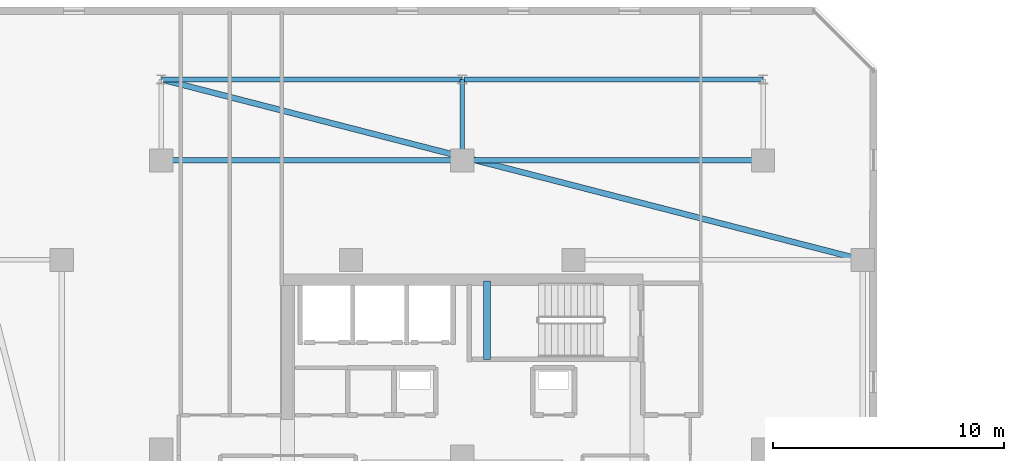
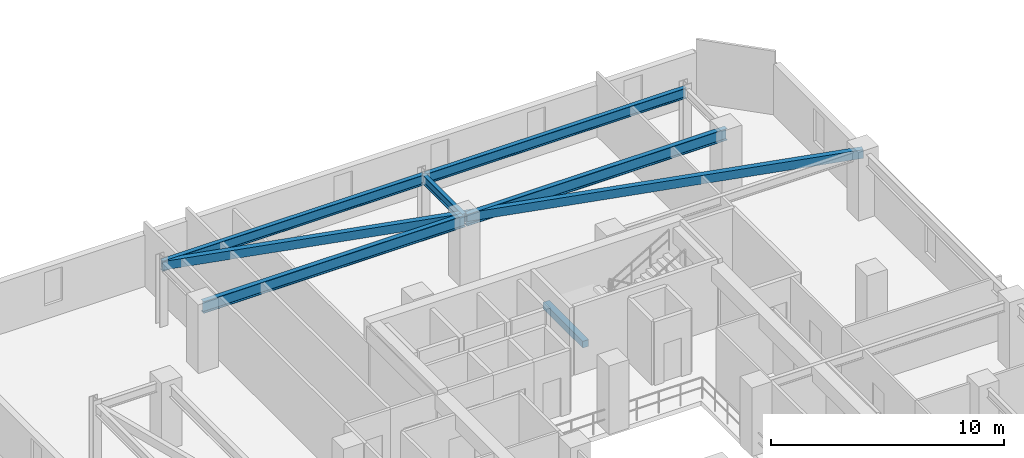
# One storey, part 8 of 33: 7 beams.
"""IFC4 building model written with IfcOpenShell, lengths in metres."""

from ifc_helpers import new_model, si_unit, direction, frame, origin, origin_2d, place, context, subcontext, project, spatial, rectangle, hollow_rectangle, i_section, extrude, material, material_profile, profile_set, type_object, element, save


model = new_model("IFC4")

# Units and contexts
model_context = context("Model", 3, precision=1e-05, world=origin(), true_north=direction((0.0, 1.0)))
body_context = subcontext(model_context, "Body", "Model", "MODEL_VIEW")
ifc_project = project(units=[si_unit("LENGTHUNIT", "METRE"), si_unit("AREAUNIT", "SQUARE_METRE"), si_unit("VOLUMEUNIT", "CUBIC_METRE"), si_unit("PLANEANGLEUNIT", "RADIAN"), si_unit("MASSUNIT", "GRAM", prefix="KILO")], contexts=[model_context])

# Site, building, storey
site_placement = place(None, origin())
site = spatial("IfcSite", under=ifc_project, at=site_placement, CompositionType="ELEMENT")
building_placement = place(site_placement, origin())
building = spatial("IfcBuilding", under=site, at=building_placement, Name="Thornwick Lancets Civic Towers", CompositionType="ELEMENT")
storey_placement = place(building_placement, frame((0.0, 0.0, 214.5)))
storey = spatial("IfcBuildingStorey", under=building, at=storey_placement, Name="L57", CompositionType="ELEMENT", Elevation=214.5)

# Beams
ifc_material_1 = material(Name="Steel S355JR", Category="steel")
ifc_material_profile_1 = material_profile(ifc_material_1, i_section(OverallWidth=0.210693359375, OverallDepth=0.53955078125, WebThickness=0.01171875, FlangeThickness=0.018798828125, FilletRadius=0.0126953125, at=origin_2d()), Name="UKB 533x210x109")
ifc_profile_set_1 = profile_set([ifc_material_profile_1], Name="Steel S355JR")
beam_type_1 = type_object("IfcBeamType", Name="BM_EDGE_533_109", PredefinedType="SPANDREL", material=ifc_profile_set_1)
beam_1_placement = place(storey_placement, frame((12.5, 47.800048828125, 3.09033203125), z_axis=(1.0, 0.0, 0.0), x_axis=(0.0, 1.0, 0.0)))
element("IfcBeam", 1, at=beam_1_placement, inside=storey, type_object=beam_type_1, Name="BM-EDGE-L57-A-S2-1", PredefinedType="SPANDREL", context=body_context, shape_type="SweptSolid", body=[
    extrude(i_section(OverallWidth=0.210693359375, OverallDepth=0.53955078125, WebThickness=0.01171875, FlangeThickness=0.018798828125, FilletRadius=0.0126953125, at=origin_2d()), origin(), (0.0, 0.0, 1.0), 13.0),
])
beam_2_placement = place(storey_placement, frame((25.580078125, 47.800048828125, 3.09033203125), z_axis=(1.0, 0.0, 0.0), x_axis=(0.0, 1.0, 0.0)))
element("IfcBeam", 2, at=beam_2_placement, inside=storey, type_object=beam_type_1, Name="BM-EDGE-L57-A-S2-2", PredefinedType="SPANDREL", context=body_context, shape_type="SweptSolid", body=[
    extrude(i_section(OverallWidth=0.210693359375, OverallDepth=0.53955078125, WebThickness=0.01171875, FlangeThickness=0.018798828125, FilletRadius=0.0126953125, at=origin_2d()), origin(), (0.0, 0.0, 1.0), 12.919921875),
])
ifc_material_profile_2 = material_profile(ifc_material_1, i_section(OverallWidth=0.230224609375, OverallDepth=0.6171875, WebThickness=0.01318359375, FlangeThickness=0.022216796875, FilletRadius=0.0126953125, at=origin_2d()), Name="UKB 610x229x140")
ifc_profile_set_2 = profile_set([ifc_material_profile_2], Name="Steel S355JR")
beam_type_2 = type_object("IfcBeamType", Name="BM_GIRD_610_140", PredefinedType="BEAM", material=ifc_profile_set_2)
beam_3_placement = place(storey_placement, frame((12.5, 44.300048828125, 3.051513671875), z_axis=(1.0, 0.0, 0.0), x_axis=(0.0, 1.0, 0.0)))
element("IfcBeam", 3, at=beam_3_placement, inside=storey, type_object=beam_type_2, Name="BM-SPINE-L57-A-6-7", PredefinedType="BEAM", context=body_context, shape_type="SweptSolid", body=[
    extrude(i_section(OverallWidth=0.230224609375, OverallDepth=0.6171875, WebThickness=0.01318359375, FlangeThickness=0.022216796875, FilletRadius=0.0126953125, at=origin_2d()), origin(), (0.0, 0.0, 1.0), 13.0),
])
beam_4_placement = place(storey_placement, frame((25.580078125, 44.300048828125, 3.051513671875), z_axis=(1.0, 0.0, 0.0), x_axis=(0.0, 1.0, 0.0)))
element("IfcBeam", 4, at=beam_4_placement, inside=storey, type_object=beam_type_2, Name="BM-SPINE-L57-A-7-8", PredefinedType="BEAM", context=body_context, shape_type="SweptSolid", body=[
    extrude(i_section(OverallWidth=0.230224609375, OverallDepth=0.6171875, WebThickness=0.01318359375, FlangeThickness=0.022216796875, FilletRadius=0.0126953125, at=origin_2d()), origin(), (0.0, 0.0, 1.0), 12.919921875),
])
ifc_material_profile_3 = material_profile(ifc_material_1, i_section(OverallWidth=0.19287109375, OverallDepth=0.46728515625, WebThickness=0.011474609375, FlangeThickness=0.01953125, FilletRadius=0.01025390625, at=origin_2d()), Name="UKB 457x191x98")
ifc_profile_set_3 = profile_set([ifc_material_profile_3], Name="Steel S355JR")
beam_type_3 = type_object("IfcBeamType", Name="BM_JOIST_457_98", PredefinedType="JOIST", material=ifc_profile_set_3)
beam_5_placement = place(storey_placement, frame((25.5, 44.300048828125, 3.12646484375), z_axis=(0.0, 1.0, 0.0), x_axis=(-1.0, 0.0, 0.0)))
element("IfcBeam", 5, at=beam_5_placement, inside=storey, type_object=beam_type_3, Name="BM-RAD-L57-A08", PredefinedType="JOIST", context=body_context, shape_type="SweptSolid", body=[
    extrude(i_section(OverallWidth=0.19287109375, OverallDepth=0.46728515625, WebThickness=0.011474609375, FlangeThickness=0.01953125, FilletRadius=0.01025390625, at=origin_2d()), origin(), (0.0, 0.0, 1.0), 3.5),
])
ifc_material_profile_4 = material_profile(ifc_material_1, hollow_rectangle(XDim=0.25, YDim=0.449951171875, WallThickness=0.01611328125, at=origin_2d()), Name="RHS 450x250x16")
ifc_profile_set_4 = profile_set([ifc_material_profile_4], Name="Steel S355JR")
beam_type_4 = type_object("IfcBeamType", Name="BM_RING_RHS450", PredefinedType="BEAM", material=ifc_profile_set_4)
beam_6_placement = place(storey_placement, frame((42.800048828125, 40.0, 3.135009765625), z_axis=(-0.96842654257, 0.249299080716, 0.0), x_axis=(-0.249299080716, -0.96842654257, 0.0)))
element("IfcBeam", 6, at=beam_6_placement, inside=storey, type_object=beam_type_4, Name="BM-CHAMF-L57-A-C1", PredefinedType="BEAM", context=body_context, shape_type="SweptSolid", body=[
    extrude(hollow_rectangle(XDim=0.25, YDim=0.449951171875, WallThickness=0.01611328125, at=origin_2d()), origin(), (0.0, 0.0, 1.0), 31.287841796875),
])
ifc_material_2 = material(Name="Concrete C40/50", Category="concrete")
ifc_material_profile_5 = material_profile(ifc_material_2, rectangle(XDim=0.300048828125, YDim=0.35009765625, at=origin_2d()), Name="RC 300x350")
ifc_profile_set_5 = profile_set([ifc_material_profile_5], Name="Concrete C40/50")
beam_type_5 = type_object("IfcBeamType", Name="BM_STAIR_LDG", PredefinedType="BEAM", material=ifc_profile_set_5)
beam_7_placement = place(storey_placement, frame((26.56494140625, 39.10009765625, 1.3779296875), z_axis=(0.0, -1.0, 0.0), x_axis=(1.0, 0.0, 0.0)))
element("IfcBeam", 7, at=beam_7_placement, inside=storey, type_object=beam_type_5, Name="L57 ST-A2 Landing Support Beam 1", PredefinedType="BEAM", context=body_context, shape_type="SweptSolid", body=[
    extrude(rectangle(XDim=0.300048828125, YDim=0.35009765625, at=origin_2d()), origin(), (0.0, 0.0, 1.0), 3.400146484375),
])

save(model, "model.ifc")
